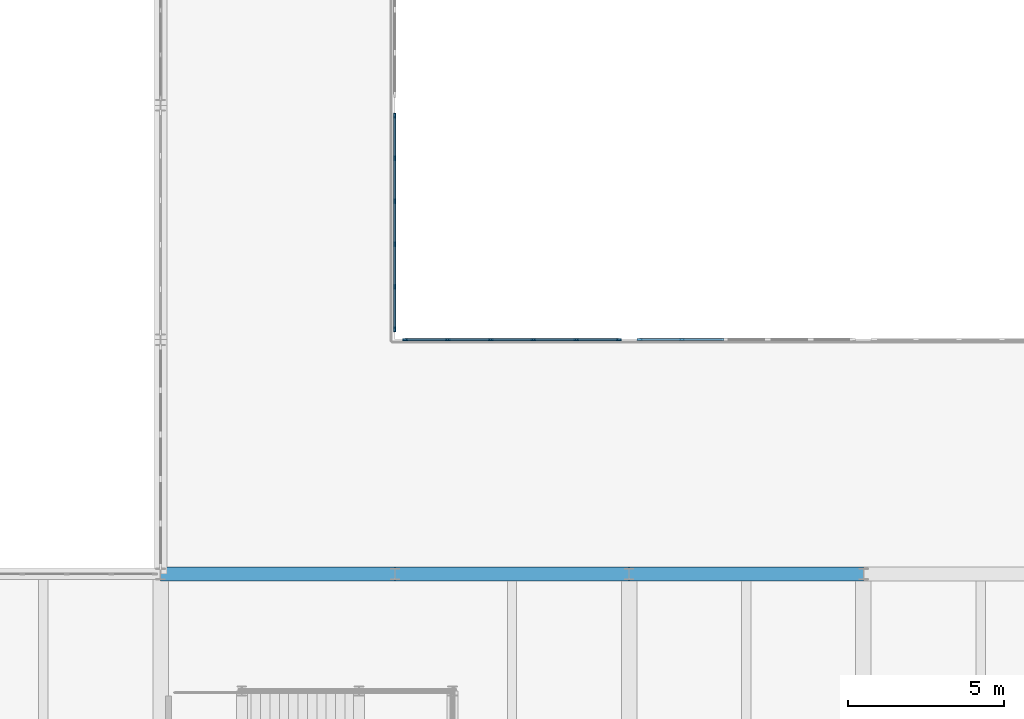
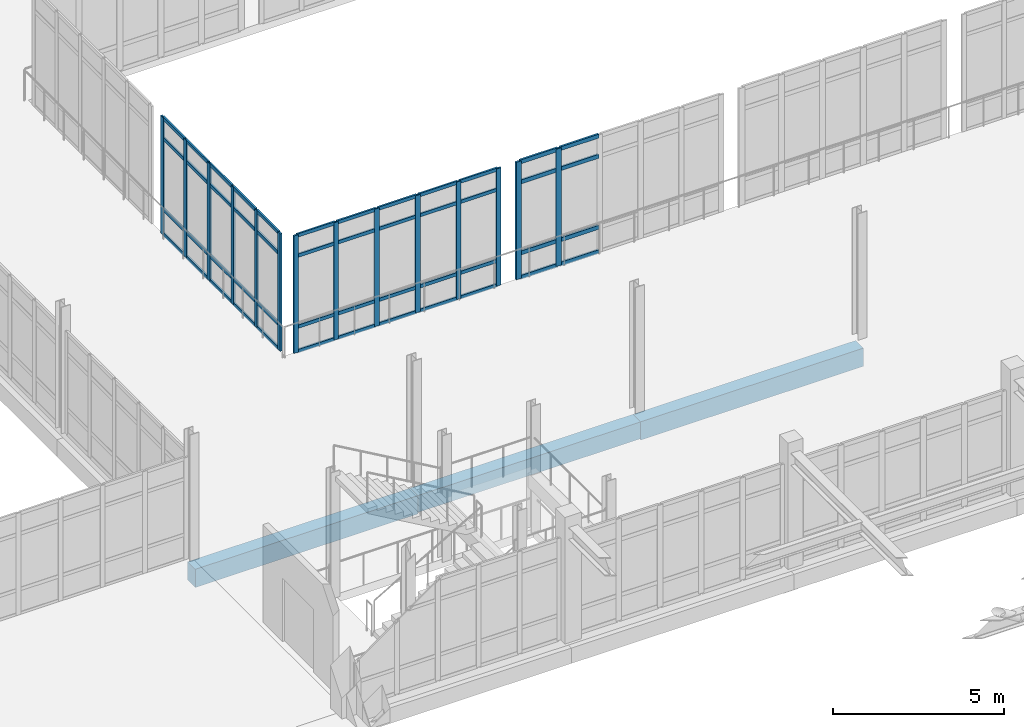
# One storey, part 33 of 128: 62 members, 3 beams, 3 elements without a shape of their own.
"""IFC4 building model written with IfcOpenShell, lengths in metres."""

from ifc_helpers import new_model, si_unit, direction, frame, origin, origin_2d, place, context, subcontext, project, spatial, rectangle, extrude, material, layer, layer_set, material_profile, profile_set, type_object, element, aggregate, save


model = new_model("IFC4")

# Units and contexts
model_context = context("Model", 3, precision=1e-05, world=origin(), true_north=direction((0.0, 1.0)))
body_context = subcontext(model_context, "Body", "Model", "MODEL_VIEW")
ifc_project = project(units=[si_unit("LENGTHUNIT", "METRE"), si_unit("AREAUNIT", "SQUARE_METRE"), si_unit("VOLUMEUNIT", "CUBIC_METRE"), si_unit("PLANEANGLEUNIT", "RADIAN"), si_unit("MASSUNIT", "GRAM", prefix="KILO")], contexts=[model_context])

# Site, building, storey
site_placement = place(None, origin())
site = spatial("IfcSite", under=ifc_project, at=site_placement, CompositionType="ELEMENT")
building_placement = place(site_placement, origin())
building = spatial("IfcBuilding", under=site, at=building_placement, Name="Dalvernix Boulevard General Hospital", CompositionType="ELEMENT")
storey_placement = place(building_placement, frame((0.0, 0.0, 4.800048828125)))
storey = spatial("IfcBuildingStorey", under=building, at=storey_placement, Name="L01", CompositionType="ELEMENT", Elevation=4.800048828125)

# Beams
ifc_material_1 = material(Name="Concrete C35/45", Category="concrete")
ifc_material_profile_1 = material_profile(ifc_material_1, rectangle(XDim=0.449951171875, YDim=0.64990234375, at=origin_2d()), Name="RCB 450x650")
ifc_profile_set_1 = profile_set([ifc_material_profile_1], Name="Concrete C35/45")
beam_type_1 = type_object("IfcBeamType", Name="BM-B-03-I", PredefinedType="BEAM", material=ifc_profile_set_1)
for number, where, z_axis, x_axis, name in (
    (1, (60.0, 31.5, -0.625), (1.0, 0.0, 0.0), (0.0, 1.0, 0.0), "L01 E-W girder E:9-10"),
    (2, (75.0, 31.5, -0.625), (1.0, 0.0, 0.0), (0.0, 1.0, 0.0), "L01 E-W girder E:11-12"),
):
    element("IfcBeam", number, at=place(storey_placement, frame(where, z_axis=z_axis, x_axis=x_axis)), inside=storey, type_object=beam_type_1, Name=name, PredefinedType="BEAM", context=body_context, shape_type="SweptSolid", body=[
        extrude(rectangle(XDim=0.449951171875, YDim=0.64990234375, at=origin_2d()), origin(), (0.0, 0.0, 1.0), 7.5),
    ])
ifc_material_profile_2 = material_profile(ifc_material_1, rectangle(XDim=0.449951171875, YDim=0.60009765625, at=origin_2d()), Name="RCB 450x600")
ifc_profile_set_2 = profile_set([ifc_material_profile_2], Name="Concrete C35/45")
beam_type_2 = type_object("IfcBeamType", Name="BM-B-04-I", PredefinedType="BEAM", material=ifc_profile_set_2)
beam_placement = place(storey_placement, frame((67.5, 31.5, -0.60009765625), z_axis=(1.0, 0.0, 0.0), x_axis=(0.0, 1.0, 0.0)))
element("IfcBeam", 3, at=beam_placement, inside=storey, type_object=beam_type_2, Name="L01 E-W girder E:10-11", PredefinedType="BEAM", context=body_context, shape_type="SweptSolid", body=[
    extrude(rectangle(XDim=0.449951171875, YDim=0.60009765625, at=origin_2d()), origin(), (0.0, 0.0, 1.0), 7.5),
])

# Curtain wall, members
ifc_material_2 = material(Name="Thermally broken aluminium and solar-control glass curtain wall", Category="aluminium")
ifc_layer_1 = layer(ifc_material_2, 0.159912109375)
ifc_layer_set_1 = layer_set([ifc_layer_1], Name="Thermally broken aluminium and solar-control glass curtain wall (CW-CW-A-69x42)")
curtain_wall_type_1 = type_object("IfcCurtainWallType", Name="CW-CW-A-69x42", PredefinedType="USERDEFINED", material=ifc_layer_set_1)
curtain_wall_1_placement = place(storey_placement, origin())
curtain_wall_1 = element("IfcCurtainWall", 4, at=curtain_wall_1_placement, inside=storey, type_object=curtain_wall_type_1, Name="L01 curtain wall CW-A-69x42 9-5", ObjectType="GLAZED FACADE", PredefinedType="USERDEFINED")
ifc_material_3 = material(Name="Aluminium EN AW-6060", Category="aluminium")
ifc_material_profile_3 = material_profile(ifc_material_3, rectangle(XDim=0.06005859375, YDim=0.159912109375, at=origin_2d()), Name="ALU MULL 60x160")
ifc_profile_set_3 = profile_set([ifc_material_profile_3], Name="Aluminium EN AW-6060")
member_type_1 = type_object("IfcMemberType", Name="MEM-CW-M1", PredefinedType="MULLION", material=ifc_profile_set_3)
member_1_placement = place(storey_placement, frame((67.5, 46.159912109375, 0.0), z_axis=(0.0, 0.0, 1.0), x_axis=(1.0, 0.0, 0.0)))
member_1 = element("IfcMember", 5, at=member_1_placement, type_object=member_type_1, Name="CW-A-69x42 mullion 1", PredefinedType="MULLION", context=body_context, shape_type="SweptSolid", body=[
    extrude(rectangle(XDim=0.06005859375, YDim=0.159912109375, at=origin_2d()), origin(), (0.0, 0.0, 1.0), 4.179931640625),
])
member_2_placement = place(storey_placement, frame((67.5, 44.81396484375, 0.0), z_axis=(0.0, 0.0, 1.0), x_axis=(1.0, 0.0, 0.0)))
member_2 = element("IfcMember", 6, at=member_2_placement, type_object=member_type_1, Name="CW-A-69x42 mullion 2", PredefinedType="MULLION", context=body_context, shape_type="SweptSolid", body=[
    extrude(rectangle(XDim=0.06005859375, YDim=0.159912109375, at=origin_2d()), origin(), (0.0, 0.0, 1.0), 4.179931640625),
])
member_3_placement = place(storey_placement, frame((67.5, 43.43798828125, 0.0), z_axis=(0.0, 0.0, 1.0), x_axis=(1.0, 0.0, 0.0)))
member_3 = element("IfcMember", 7, at=member_3_placement, type_object=member_type_1, Name="CW-A-69x42 mullion 3", PredefinedType="MULLION", context=body_context, shape_type="SweptSolid", body=[
    extrude(rectangle(XDim=0.06005859375, YDim=0.159912109375, at=origin_2d()), origin(), (0.0, 0.0, 1.0), 4.179931640625),
])
member_4_placement = place(storey_placement, frame((67.5, 42.06201171875, 0.0), z_axis=(0.0, 0.0, 1.0), x_axis=(1.0, 0.0, 0.0)))
member_4 = element("IfcMember", 8, at=member_4_placement, type_object=member_type_1, Name="CW-A-69x42 mullion 4", PredefinedType="MULLION", context=body_context, shape_type="SweptSolid", body=[
    extrude(rectangle(XDim=0.06005859375, YDim=0.159912109375, at=origin_2d()), origin(), (0.0, 0.0, 1.0), 4.179931640625),
])
member_5_placement = place(storey_placement, frame((67.5, 40.68603515625, 0.0), z_axis=(0.0, 0.0, 1.0), x_axis=(1.0, 0.0, 0.0)))
member_5 = element("IfcMember", 9, at=member_5_placement, type_object=member_type_1, Name="CW-A-69x42 mullion 5", PredefinedType="MULLION", context=body_context, shape_type="SweptSolid", body=[
    extrude(rectangle(XDim=0.06005859375, YDim=0.159912109375, at=origin_2d()), origin(), (0.0, 0.0, 1.0), 4.179931640625),
])
member_6_placement = place(storey_placement, frame((67.5, 39.340087890625, 0.0), z_axis=(0.0, 0.0, 1.0), x_axis=(1.0, 0.0, 0.0)))
member_6 = element("IfcMember", 10, at=member_6_placement, type_object=member_type_1, Name="CW-A-69x42 mullion 6", PredefinedType="MULLION", context=body_context, shape_type="SweptSolid", body=[
    extrude(rectangle(XDim=0.06005859375, YDim=0.159912109375, at=origin_2d()), origin(), (0.0, 0.0, 1.0), 4.179931640625),
])

curtain_wall_2_placement = place(storey_placement, origin())
curtain_wall_2 = element("IfcCurtainWall", 11, at=curtain_wall_2_placement, inside=storey, type_object=curtain_wall_type_1, Name="L01 curtain wall CW-A-69x42 9-5", ObjectType="GLAZED FACADE", PredefinedType="USERDEFINED")
member_7_placement = place(storey_placement, frame((67.840087890625, 39.0, 0.0), z_axis=(0.0, 0.0, 1.0), x_axis=(0.0, 1.0, 0.0)))
member_7 = element("IfcMember", 12, at=member_7_placement, type_object=member_type_1, Name="CW-A-69x42 mullion 1", PredefinedType="MULLION", context=body_context, shape_type="SweptSolid", body=[
    extrude(rectangle(XDim=0.06005859375, YDim=0.159912109375, at=origin_2d()), origin(), (0.0, 0.0, 1.0), 4.179931640625),
])
member_8_placement = place(storey_placement, frame((69.18603515625, 39.0, 0.0), z_axis=(0.0, 0.0, 1.0), x_axis=(0.0, 1.0, 0.0)))
member_8 = element("IfcMember", 13, at=member_8_placement, type_object=member_type_1, Name="CW-A-69x42 mullion 2", PredefinedType="MULLION", context=body_context, shape_type="SweptSolid", body=[
    extrude(rectangle(XDim=0.06005859375, YDim=0.159912109375, at=origin_2d()), origin(), (0.0, 0.0, 1.0), 4.179931640625),
])
member_9_placement = place(storey_placement, frame((70.56201171875, 39.0, 0.0), z_axis=(0.0, 0.0, 1.0), x_axis=(0.0, 1.0, 0.0)))
member_9 = element("IfcMember", 14, at=member_9_placement, type_object=member_type_1, Name="CW-A-69x42 mullion 3", PredefinedType="MULLION", context=body_context, shape_type="SweptSolid", body=[
    extrude(rectangle(XDim=0.06005859375, YDim=0.159912109375, at=origin_2d()), origin(), (0.0, 0.0, 1.0), 4.179931640625),
])
member_10_placement = place(storey_placement, frame((71.93798828125, 39.0, 0.0), z_axis=(0.0, 0.0, 1.0), x_axis=(0.0, 1.0, 0.0)))
member_10 = element("IfcMember", 15, at=member_10_placement, type_object=member_type_1, Name="CW-A-69x42 mullion 4", PredefinedType="MULLION", context=body_context, shape_type="SweptSolid", body=[
    extrude(rectangle(XDim=0.06005859375, YDim=0.159912109375, at=origin_2d()), origin(), (0.0, 0.0, 1.0), 4.179931640625),
])
member_11_placement = place(storey_placement, frame((73.31396484375, 39.0, 0.0), z_axis=(0.0, 0.0, 1.0), x_axis=(0.0, 1.0, 0.0)))
member_11 = element("IfcMember", 16, at=member_11_placement, type_object=member_type_1, Name="CW-A-69x42 mullion 5", PredefinedType="MULLION", context=body_context, shape_type="SweptSolid", body=[
    extrude(rectangle(XDim=0.06005859375, YDim=0.159912109375, at=origin_2d()), origin(), (0.0, 0.0, 1.0), 4.179931640625),
])
member_12_placement = place(storey_placement, frame((74.659912109375, 39.0, 0.0), z_axis=(0.0, 0.0, 1.0), x_axis=(0.0, 1.0, 0.0)))
member_12 = element("IfcMember", 17, at=member_12_placement, type_object=member_type_1, Name="CW-A-69x42 mullion 6", PredefinedType="MULLION", context=body_context, shape_type="SweptSolid", body=[
    extrude(rectangle(XDim=0.06005859375, YDim=0.159912109375, at=origin_2d()), origin(), (0.0, 0.0, 1.0), 4.179931640625),
])

ifc_layer_2 = layer(ifc_material_2, 0.179931640625)
ifc_layer_set_2 = layer_set([ifc_layer_2], Name="Thermally broken aluminium and solar-control glass curtain wall (CW-CW-B-69x42)")
curtain_wall_type_2 = type_object("IfcCurtainWallType", Name="CW-CW-B-69x42", PredefinedType="USERDEFINED", material=ifc_layer_set_2)
curtain_wall_3_placement = place(storey_placement, origin())
curtain_wall_3 = element("IfcCurtainWall", 18, at=curtain_wall_3_placement, inside=storey, type_object=curtain_wall_type_2, Name="L01 curtain wall CW-B-69x42 10-5", ObjectType="GLAZED FACADE", PredefinedType="USERDEFINED")
ifc_material_profile_4 = material_profile(ifc_material_3, rectangle(XDim=0.06494140625, YDim=0.179931640625, at=origin_2d()), Name="ALU MULL 65x180")
ifc_profile_set_4 = profile_set([ifc_material_profile_4], Name="Aluminium EN AW-6060")
member_type_2 = type_object("IfcMemberType", Name="MEM-CW-M2", PredefinedType="MULLION", material=ifc_profile_set_4)
member_13_placement = place(storey_placement, frame((75.342529296875, 39.0, 0.0), z_axis=(0.0, 0.0, 1.0), x_axis=(0.0, 1.0, 0.0)))
member_13 = element("IfcMember", 19, at=member_13_placement, type_object=member_type_2, Name="CW-B-69x42 mullion 1", PredefinedType="MULLION", context=body_context, shape_type="SweptSolid", body=[
    extrude(rectangle(XDim=0.06494140625, YDim=0.179931640625, at=origin_2d()), origin(), (0.0, 0.0, 1.0), 4.179931640625),
])
member_14_placement = place(storey_placement, frame((76.68603515625, 39.0, 0.0), z_axis=(0.0, 0.0, 1.0), x_axis=(0.0, 1.0, 0.0)))
member_14 = element("IfcMember", 20, at=member_14_placement, type_object=member_type_2, Name="CW-B-69x42 mullion 2", PredefinedType="MULLION", context=body_context, shape_type="SweptSolid", body=[
    extrude(rectangle(XDim=0.06494140625, YDim=0.179931640625, at=origin_2d()), origin(), (0.0, 0.0, 1.0), 4.179931640625),
])

# Member
ifc_material_profile_5 = material_profile(ifc_material_3, rectangle(XDim=0.06005859375, YDim=0.1201171875, at=origin_2d()), Name="ALU TRAN 60x120")
ifc_profile_set_5 = profile_set([ifc_material_profile_5], Name="Aluminium EN AW-6060")
member_type_3 = type_object("IfcMemberType", Name="MEM-CW-T1", PredefinedType="USERDEFINED", material=ifc_profile_set_5)
member_15_placement = place(storey_placement, frame((67.5, 46.1298828125, 0.030029296875), z_axis=(0.0, -1.0, 0.0), x_axis=(1.0, 0.0, 0.0)))
member_15 = element("IfcMember", 21, at=member_15_placement, type_object=member_type_3, Name="CW-A-69x42 transom 1.1", ObjectType="TRANSOM", PredefinedType="USERDEFINED", context=body_context, shape_type="SweptSolid", body=[
    extrude(rectangle(XDim=0.06005859375, YDim=0.1201171875, at=origin_2d()), origin(), (0.0, 0.0, 1.0), 1.285888671875),
])

member_16_placement = place(storey_placement, frame((67.5, 46.1298828125, 0.89990234375), z_axis=(0.0, -1.0, 0.0), x_axis=(1.0, 0.0, 0.0)))
member_16 = element("IfcMember", 22, at=member_16_placement, type_object=member_type_3, Name="CW-A-69x42 transom 1.2", ObjectType="TRANSOM", PredefinedType="USERDEFINED", context=body_context, shape_type="SweptSolid", body=[
    extrude(rectangle(XDim=0.06005859375, YDim=0.1201171875, at=origin_2d()), origin(), (0.0, 0.0, 1.0), 1.285888671875),
])

member_17_placement = place(storey_placement, frame((67.5, 46.1298828125, 3.429931640625), z_axis=(0.0, -1.0, 0.0), x_axis=(1.0, 0.0, 0.0)))
member_17 = element("IfcMember", 23, at=member_17_placement, type_object=member_type_3, Name="CW-A-69x42 transom 1.3", ObjectType="TRANSOM", PredefinedType="USERDEFINED", context=body_context, shape_type="SweptSolid", body=[
    extrude(rectangle(XDim=0.06005859375, YDim=0.1201171875, at=origin_2d()), origin(), (0.0, 0.0, 1.0), 1.285888671875),
])

member_18_placement = place(storey_placement, frame((67.5, 46.1298828125, 4.14990234375), z_axis=(0.0, -1.0, 0.0), x_axis=(1.0, 0.0, 0.0)))
member_18 = element("IfcMember", 24, at=member_18_placement, type_object=member_type_3, Name="CW-A-69x42 transom 1.4", ObjectType="TRANSOM", PredefinedType="USERDEFINED", context=body_context, shape_type="SweptSolid", body=[
    extrude(rectangle(XDim=0.06005859375, YDim=0.1201171875, at=origin_2d()), origin(), (0.0, 0.0, 1.0), 1.285888671875),
])

member_19_placement = place(storey_placement, frame((67.5, 44.783935546875, 0.030029296875), z_axis=(0.0, -1.0, 0.0), x_axis=(1.0, 0.0, 0.0)))
member_19 = element("IfcMember", 25, at=member_19_placement, type_object=member_type_3, Name="CW-A-69x42 transom 2.1", ObjectType="TRANSOM", PredefinedType="USERDEFINED", context=body_context, shape_type="SweptSolid", body=[
    extrude(rectangle(XDim=0.06005859375, YDim=0.1201171875, at=origin_2d()), origin(), (0.0, 0.0, 1.0), 1.31591796875),
])

member_20_placement = place(storey_placement, frame((67.5, 44.783935546875, 0.89990234375), z_axis=(0.0, -1.0, 0.0), x_axis=(1.0, 0.0, 0.0)))
member_20 = element("IfcMember", 26, at=member_20_placement, type_object=member_type_3, Name="CW-A-69x42 transom 2.2", ObjectType="TRANSOM", PredefinedType="USERDEFINED", context=body_context, shape_type="SweptSolid", body=[
    extrude(rectangle(XDim=0.06005859375, YDim=0.1201171875, at=origin_2d()), origin(), (0.0, 0.0, 1.0), 1.31591796875),
])

member_21_placement = place(storey_placement, frame((67.5, 44.783935546875, 3.429931640625), z_axis=(0.0, -1.0, 0.0), x_axis=(1.0, 0.0, 0.0)))
member_21 = element("IfcMember", 27, at=member_21_placement, type_object=member_type_3, Name="CW-A-69x42 transom 2.3", ObjectType="TRANSOM", PredefinedType="USERDEFINED", context=body_context, shape_type="SweptSolid", body=[
    extrude(rectangle(XDim=0.06005859375, YDim=0.1201171875, at=origin_2d()), origin(), (0.0, 0.0, 1.0), 1.31591796875),
])

member_22_placement = place(storey_placement, frame((67.5, 44.783935546875, 4.14990234375), z_axis=(0.0, -1.0, 0.0), x_axis=(1.0, 0.0, 0.0)))
member_22 = element("IfcMember", 28, at=member_22_placement, type_object=member_type_3, Name="CW-A-69x42 transom 2.4", ObjectType="TRANSOM", PredefinedType="USERDEFINED", context=body_context, shape_type="SweptSolid", body=[
    extrude(rectangle(XDim=0.06005859375, YDim=0.1201171875, at=origin_2d()), origin(), (0.0, 0.0, 1.0), 1.31591796875),
])

member_23_placement = place(storey_placement, frame((67.5, 43.407958984375, 0.030029296875), z_axis=(0.0, -1.0, 0.0), x_axis=(1.0, 0.0, 0.0)))
member_23 = element("IfcMember", 29, at=member_23_placement, type_object=member_type_3, Name="CW-A-69x42 transom 3.1", ObjectType="TRANSOM", PredefinedType="USERDEFINED", context=body_context, shape_type="SweptSolid", body=[
    extrude(rectangle(XDim=0.06005859375, YDim=0.1201171875, at=origin_2d()), origin(), (0.0, 0.0, 1.0), 1.31591796875),
])

member_24_placement = place(storey_placement, frame((67.5, 43.407958984375, 0.89990234375), z_axis=(0.0, -1.0, 0.0), x_axis=(1.0, 0.0, 0.0)))
member_24 = element("IfcMember", 30, at=member_24_placement, type_object=member_type_3, Name="CW-A-69x42 transom 3.2", ObjectType="TRANSOM", PredefinedType="USERDEFINED", context=body_context, shape_type="SweptSolid", body=[
    extrude(rectangle(XDim=0.06005859375, YDim=0.1201171875, at=origin_2d()), origin(), (0.0, 0.0, 1.0), 1.31591796875),
])

member_25_placement = place(storey_placement, frame((67.5, 43.407958984375, 3.429931640625), z_axis=(0.0, -1.0, 0.0), x_axis=(1.0, 0.0, 0.0)))
member_25 = element("IfcMember", 31, at=member_25_placement, type_object=member_type_3, Name="CW-A-69x42 transom 3.3", ObjectType="TRANSOM", PredefinedType="USERDEFINED", context=body_context, shape_type="SweptSolid", body=[
    extrude(rectangle(XDim=0.06005859375, YDim=0.1201171875, at=origin_2d()), origin(), (0.0, 0.0, 1.0), 1.31591796875),
])

member_26_placement = place(storey_placement, frame((67.5, 43.407958984375, 4.14990234375), z_axis=(0.0, -1.0, 0.0), x_axis=(1.0, 0.0, 0.0)))
member_26 = element("IfcMember", 32, at=member_26_placement, type_object=member_type_3, Name="CW-A-69x42 transom 3.4", ObjectType="TRANSOM", PredefinedType="USERDEFINED", context=body_context, shape_type="SweptSolid", body=[
    extrude(rectangle(XDim=0.06005859375, YDim=0.1201171875, at=origin_2d()), origin(), (0.0, 0.0, 1.0), 1.31591796875),
])

member_27_placement = place(storey_placement, frame((67.5, 42.031982421875, 0.030029296875), z_axis=(0.0, -1.0, 0.0), x_axis=(1.0, 0.0, 0.0)))
member_27 = element("IfcMember", 33, at=member_27_placement, type_object=member_type_3, Name="CW-A-69x42 transom 4.1", ObjectType="TRANSOM", PredefinedType="USERDEFINED", context=body_context, shape_type="SweptSolid", body=[
    extrude(rectangle(XDim=0.06005859375, YDim=0.1201171875, at=origin_2d()), origin(), (0.0, 0.0, 1.0), 1.31591796875),
])

member_28_placement = place(storey_placement, frame((67.5, 42.031982421875, 0.89990234375), z_axis=(0.0, -1.0, 0.0), x_axis=(1.0, 0.0, 0.0)))
member_28 = element("IfcMember", 34, at=member_28_placement, type_object=member_type_3, Name="CW-A-69x42 transom 4.2", ObjectType="TRANSOM", PredefinedType="USERDEFINED", context=body_context, shape_type="SweptSolid", body=[
    extrude(rectangle(XDim=0.06005859375, YDim=0.1201171875, at=origin_2d()), origin(), (0.0, 0.0, 1.0), 1.31591796875),
])

member_29_placement = place(storey_placement, frame((67.5, 42.031982421875, 3.429931640625), z_axis=(0.0, -1.0, 0.0), x_axis=(1.0, 0.0, 0.0)))
member_29 = element("IfcMember", 35, at=member_29_placement, type_object=member_type_3, Name="CW-A-69x42 transom 4.3", ObjectType="TRANSOM", PredefinedType="USERDEFINED", context=body_context, shape_type="SweptSolid", body=[
    extrude(rectangle(XDim=0.06005859375, YDim=0.1201171875, at=origin_2d()), origin(), (0.0, 0.0, 1.0), 1.31591796875),
])

member_30_placement = place(storey_placement, frame((67.5, 42.031982421875, 4.14990234375), z_axis=(0.0, -1.0, 0.0), x_axis=(1.0, 0.0, 0.0)))
member_30 = element("IfcMember", 36, at=member_30_placement, type_object=member_type_3, Name="CW-A-69x42 transom 4.4", ObjectType="TRANSOM", PredefinedType="USERDEFINED", context=body_context, shape_type="SweptSolid", body=[
    extrude(rectangle(XDim=0.06005859375, YDim=0.1201171875, at=origin_2d()), origin(), (0.0, 0.0, 1.0), 1.31591796875),
])

member_31_placement = place(storey_placement, frame((67.5, 40.656005859375, 0.030029296875), z_axis=(0.0, -1.0, 0.0), x_axis=(1.0, 0.0, 0.0)))
member_31 = element("IfcMember", 37, at=member_31_placement, type_object=member_type_3, Name="CW-A-69x42 transom 5.1", ObjectType="TRANSOM", PredefinedType="USERDEFINED", context=body_context, shape_type="SweptSolid", body=[
    extrude(rectangle(XDim=0.06005859375, YDim=0.1201171875, at=origin_2d()), origin(), (0.0, 0.0, 1.0), 1.285888671875),
])

member_32_placement = place(storey_placement, frame((67.5, 40.656005859375, 0.89990234375), z_axis=(0.0, -1.0, 0.0), x_axis=(1.0, 0.0, 0.0)))
member_32 = element("IfcMember", 38, at=member_32_placement, type_object=member_type_3, Name="CW-A-69x42 transom 5.2", ObjectType="TRANSOM", PredefinedType="USERDEFINED", context=body_context, shape_type="SweptSolid", body=[
    extrude(rectangle(XDim=0.06005859375, YDim=0.1201171875, at=origin_2d()), origin(), (0.0, 0.0, 1.0), 1.285888671875),
])

member_33_placement = place(storey_placement, frame((67.5, 40.656005859375, 3.429931640625), z_axis=(0.0, -1.0, 0.0), x_axis=(1.0, 0.0, 0.0)))
member_33 = element("IfcMember", 39, at=member_33_placement, type_object=member_type_3, Name="CW-A-69x42 transom 5.3", ObjectType="TRANSOM", PredefinedType="USERDEFINED", context=body_context, shape_type="SweptSolid", body=[
    extrude(rectangle(XDim=0.06005859375, YDim=0.1201171875, at=origin_2d()), origin(), (0.0, 0.0, 1.0), 1.285888671875),
])

member_34_placement = place(storey_placement, frame((67.5, 40.656005859375, 4.14990234375), z_axis=(0.0, -1.0, 0.0), x_axis=(1.0, 0.0, 0.0)))
member_34 = element("IfcMember", 40, at=member_34_placement, type_object=member_type_3, Name="CW-A-69x42 transom 5.4", ObjectType="TRANSOM", PredefinedType="USERDEFINED", context=body_context, shape_type="SweptSolid", body=[
    extrude(rectangle(XDim=0.06005859375, YDim=0.1201171875, at=origin_2d()), origin(), (0.0, 0.0, 1.0), 1.285888671875),
])

aggregate(curtain_wall_1, [member_1, member_2, member_3, member_4, member_5, member_6, member_15, member_16, member_17, member_18, member_19, member_20, member_21, member_22, member_23, member_24, member_25, member_26, member_27, member_28, member_29, member_30, member_31, member_32, member_33, member_34])

member_35_placement = place(storey_placement, frame((67.8701171875, 39.0, 0.030029296875), z_axis=(1.0, 0.0, 0.0), x_axis=(0.0, 1.0, 0.0)))
member_35 = element("IfcMember", 41, at=member_35_placement, type_object=member_type_3, Name="CW-A-69x42 transom 1.1", ObjectType="TRANSOM", PredefinedType="USERDEFINED", context=body_context, shape_type="SweptSolid", body=[
    extrude(rectangle(XDim=0.06005859375, YDim=0.1201171875, at=origin_2d()), origin(), (0.0, 0.0, 1.0), 1.285888671875),
])

member_36_placement = place(storey_placement, frame((67.8701171875, 39.0, 0.89990234375), z_axis=(1.0, 0.0, 0.0), x_axis=(0.0, 1.0, 0.0)))
member_36 = element("IfcMember", 42, at=member_36_placement, type_object=member_type_3, Name="CW-A-69x42 transom 1.2", ObjectType="TRANSOM", PredefinedType="USERDEFINED", context=body_context, shape_type="SweptSolid", body=[
    extrude(rectangle(XDim=0.06005859375, YDim=0.1201171875, at=origin_2d()), origin(), (0.0, 0.0, 1.0), 1.285888671875),
])

member_37_placement = place(storey_placement, frame((67.8701171875, 39.0, 3.429931640625), z_axis=(1.0, 0.0, 0.0), x_axis=(0.0, 1.0, 0.0)))
member_37 = element("IfcMember", 43, at=member_37_placement, type_object=member_type_3, Name="CW-A-69x42 transom 1.3", ObjectType="TRANSOM", PredefinedType="USERDEFINED", context=body_context, shape_type="SweptSolid", body=[
    extrude(rectangle(XDim=0.06005859375, YDim=0.1201171875, at=origin_2d()), origin(), (0.0, 0.0, 1.0), 1.285888671875),
])

member_38_placement = place(storey_placement, frame((67.8701171875, 39.0, 4.14990234375), z_axis=(1.0, 0.0, 0.0), x_axis=(0.0, 1.0, 0.0)))
member_38 = element("IfcMember", 44, at=member_38_placement, type_object=member_type_3, Name="CW-A-69x42 transom 1.4", ObjectType="TRANSOM", PredefinedType="USERDEFINED", context=body_context, shape_type="SweptSolid", body=[
    extrude(rectangle(XDim=0.06005859375, YDim=0.1201171875, at=origin_2d()), origin(), (0.0, 0.0, 1.0), 1.285888671875),
])

member_39_placement = place(storey_placement, frame((69.216064453125, 39.0, 0.030029296875), z_axis=(1.0, 0.0, 0.0), x_axis=(0.0, 1.0, 0.0)))
member_39 = element("IfcMember", 45, at=member_39_placement, type_object=member_type_3, Name="CW-A-69x42 transom 2.1", ObjectType="TRANSOM", PredefinedType="USERDEFINED", context=body_context, shape_type="SweptSolid", body=[
    extrude(rectangle(XDim=0.06005859375, YDim=0.1201171875, at=origin_2d()), origin(), (0.0, 0.0, 1.0), 1.31591796875),
])

member_40_placement = place(storey_placement, frame((69.216064453125, 39.0, 0.89990234375), z_axis=(1.0, 0.0, 0.0), x_axis=(0.0, 1.0, 0.0)))
member_40 = element("IfcMember", 46, at=member_40_placement, type_object=member_type_3, Name="CW-A-69x42 transom 2.2", ObjectType="TRANSOM", PredefinedType="USERDEFINED", context=body_context, shape_type="SweptSolid", body=[
    extrude(rectangle(XDim=0.06005859375, YDim=0.1201171875, at=origin_2d()), origin(), (0.0, 0.0, 1.0), 1.31591796875),
])

member_41_placement = place(storey_placement, frame((69.216064453125, 39.0, 3.429931640625), z_axis=(1.0, 0.0, 0.0), x_axis=(0.0, 1.0, 0.0)))
member_41 = element("IfcMember", 47, at=member_41_placement, type_object=member_type_3, Name="CW-A-69x42 transom 2.3", ObjectType="TRANSOM", PredefinedType="USERDEFINED", context=body_context, shape_type="SweptSolid", body=[
    extrude(rectangle(XDim=0.06005859375, YDim=0.1201171875, at=origin_2d()), origin(), (0.0, 0.0, 1.0), 1.31591796875),
])

member_42_placement = place(storey_placement, frame((69.216064453125, 39.0, 4.14990234375), z_axis=(1.0, 0.0, 0.0), x_axis=(0.0, 1.0, 0.0)))
member_42 = element("IfcMember", 48, at=member_42_placement, type_object=member_type_3, Name="CW-A-69x42 transom 2.4", ObjectType="TRANSOM", PredefinedType="USERDEFINED", context=body_context, shape_type="SweptSolid", body=[
    extrude(rectangle(XDim=0.06005859375, YDim=0.1201171875, at=origin_2d()), origin(), (0.0, 0.0, 1.0), 1.31591796875),
])

member_43_placement = place(storey_placement, frame((70.592041015625, 39.0, 0.030029296875), z_axis=(1.0, 0.0, 0.0), x_axis=(0.0, 1.0, 0.0)))
member_43 = element("IfcMember", 49, at=member_43_placement, type_object=member_type_3, Name="CW-A-69x42 transom 3.1", ObjectType="TRANSOM", PredefinedType="USERDEFINED", context=body_context, shape_type="SweptSolid", body=[
    extrude(rectangle(XDim=0.06005859375, YDim=0.1201171875, at=origin_2d()), origin(), (0.0, 0.0, 1.0), 1.31591796875),
])

member_44_placement = place(storey_placement, frame((70.592041015625, 39.0, 0.89990234375), z_axis=(1.0, 0.0, 0.0), x_axis=(0.0, 1.0, 0.0)))
member_44 = element("IfcMember", 50, at=member_44_placement, type_object=member_type_3, Name="CW-A-69x42 transom 3.2", ObjectType="TRANSOM", PredefinedType="USERDEFINED", context=body_context, shape_type="SweptSolid", body=[
    extrude(rectangle(XDim=0.06005859375, YDim=0.1201171875, at=origin_2d()), origin(), (0.0, 0.0, 1.0), 1.31591796875),
])

member_45_placement = place(storey_placement, frame((70.592041015625, 39.0, 3.429931640625), z_axis=(1.0, 0.0, 0.0), x_axis=(0.0, 1.0, 0.0)))
member_45 = element("IfcMember", 51, at=member_45_placement, type_object=member_type_3, Name="CW-A-69x42 transom 3.3", ObjectType="TRANSOM", PredefinedType="USERDEFINED", context=body_context, shape_type="SweptSolid", body=[
    extrude(rectangle(XDim=0.06005859375, YDim=0.1201171875, at=origin_2d()), origin(), (0.0, 0.0, 1.0), 1.31591796875),
])

member_46_placement = place(storey_placement, frame((70.592041015625, 39.0, 4.14990234375), z_axis=(1.0, 0.0, 0.0), x_axis=(0.0, 1.0, 0.0)))
member_46 = element("IfcMember", 52, at=member_46_placement, type_object=member_type_3, Name="CW-A-69x42 transom 3.4", ObjectType="TRANSOM", PredefinedType="USERDEFINED", context=body_context, shape_type="SweptSolid", body=[
    extrude(rectangle(XDim=0.06005859375, YDim=0.1201171875, at=origin_2d()), origin(), (0.0, 0.0, 1.0), 1.31591796875),
])

member_47_placement = place(storey_placement, frame((71.968017578125, 39.0, 0.030029296875), z_axis=(1.0, 0.0, 0.0), x_axis=(0.0, 1.0, 0.0)))
member_47 = element("IfcMember", 53, at=member_47_placement, type_object=member_type_3, Name="CW-A-69x42 transom 4.1", ObjectType="TRANSOM", PredefinedType="USERDEFINED", context=body_context, shape_type="SweptSolid", body=[
    extrude(rectangle(XDim=0.06005859375, YDim=0.1201171875, at=origin_2d()), origin(), (0.0, 0.0, 1.0), 1.31591796875),
])

member_48_placement = place(storey_placement, frame((71.968017578125, 39.0, 0.89990234375), z_axis=(1.0, 0.0, 0.0), x_axis=(0.0, 1.0, 0.0)))
member_48 = element("IfcMember", 54, at=member_48_placement, type_object=member_type_3, Name="CW-A-69x42 transom 4.2", ObjectType="TRANSOM", PredefinedType="USERDEFINED", context=body_context, shape_type="SweptSolid", body=[
    extrude(rectangle(XDim=0.06005859375, YDim=0.1201171875, at=origin_2d()), origin(), (0.0, 0.0, 1.0), 1.31591796875),
])

member_49_placement = place(storey_placement, frame((71.968017578125, 39.0, 3.429931640625), z_axis=(1.0, 0.0, 0.0), x_axis=(0.0, 1.0, 0.0)))
member_49 = element("IfcMember", 55, at=member_49_placement, type_object=member_type_3, Name="CW-A-69x42 transom 4.3", ObjectType="TRANSOM", PredefinedType="USERDEFINED", context=body_context, shape_type="SweptSolid", body=[
    extrude(rectangle(XDim=0.06005859375, YDim=0.1201171875, at=origin_2d()), origin(), (0.0, 0.0, 1.0), 1.31591796875),
])

member_50_placement = place(storey_placement, frame((71.968017578125, 39.0, 4.14990234375), z_axis=(1.0, 0.0, 0.0), x_axis=(0.0, 1.0, 0.0)))
member_50 = element("IfcMember", 56, at=member_50_placement, type_object=member_type_3, Name="CW-A-69x42 transom 4.4", ObjectType="TRANSOM", PredefinedType="USERDEFINED", context=body_context, shape_type="SweptSolid", body=[
    extrude(rectangle(XDim=0.06005859375, YDim=0.1201171875, at=origin_2d()), origin(), (0.0, 0.0, 1.0), 1.31591796875),
])

member_51_placement = place(storey_placement, frame((73.343994140625, 39.0, 0.030029296875), z_axis=(1.0, 0.0, 0.0), x_axis=(0.0, 1.0, 0.0)))
member_51 = element("IfcMember", 57, at=member_51_placement, type_object=member_type_3, Name="CW-A-69x42 transom 5.1", ObjectType="TRANSOM", PredefinedType="USERDEFINED", context=body_context, shape_type="SweptSolid", body=[
    extrude(rectangle(XDim=0.06005859375, YDim=0.1201171875, at=origin_2d()), origin(), (0.0, 0.0, 1.0), 1.285888671875),
])

member_52_placement = place(storey_placement, frame((73.343994140625, 39.0, 0.89990234375), z_axis=(1.0, 0.0, 0.0), x_axis=(0.0, 1.0, 0.0)))
member_52 = element("IfcMember", 58, at=member_52_placement, type_object=member_type_3, Name="CW-A-69x42 transom 5.2", ObjectType="TRANSOM", PredefinedType="USERDEFINED", context=body_context, shape_type="SweptSolid", body=[
    extrude(rectangle(XDim=0.06005859375, YDim=0.1201171875, at=origin_2d()), origin(), (0.0, 0.0, 1.0), 1.285888671875),
])

member_53_placement = place(storey_placement, frame((73.343994140625, 39.0, 3.429931640625), z_axis=(1.0, 0.0, 0.0), x_axis=(0.0, 1.0, 0.0)))
member_53 = element("IfcMember", 59, at=member_53_placement, type_object=member_type_3, Name="CW-A-69x42 transom 5.3", ObjectType="TRANSOM", PredefinedType="USERDEFINED", context=body_context, shape_type="SweptSolid", body=[
    extrude(rectangle(XDim=0.06005859375, YDim=0.1201171875, at=origin_2d()), origin(), (0.0, 0.0, 1.0), 1.285888671875),
])

member_54_placement = place(storey_placement, frame((73.343994140625, 39.0, 4.14990234375), z_axis=(1.0, 0.0, 0.0), x_axis=(0.0, 1.0, 0.0)))
member_54 = element("IfcMember", 60, at=member_54_placement, type_object=member_type_3, Name="CW-A-69x42 transom 5.4", ObjectType="TRANSOM", PredefinedType="USERDEFINED", context=body_context, shape_type="SweptSolid", body=[
    extrude(rectangle(XDim=0.06005859375, YDim=0.1201171875, at=origin_2d()), origin(), (0.0, 0.0, 1.0), 1.285888671875),
])

aggregate(curtain_wall_2, [member_7, member_8, member_9, member_10, member_11, member_12, member_35, member_36, member_37, member_38, member_39, member_40, member_41, member_42, member_43, member_44, member_45, member_46, member_47, member_48, member_49, member_50, member_51, member_52, member_53, member_54])

ifc_material_profile_6 = material_profile(ifc_material_3, rectangle(XDim=0.06494140625, YDim=0.139892578125, at=origin_2d()), Name="ALU TRAN 65x140")
ifc_profile_set_6 = profile_set([ifc_material_profile_6], Name="Aluminium EN AW-6060")
member_type_4 = type_object("IfcMemberType", Name="MEM-CW-T2", PredefinedType="USERDEFINED", material=ifc_profile_set_6)
member_55_placement = place(storey_placement, frame((75.375, 39.0, 0.032470703125), z_axis=(1.0, 0.0, 0.0), x_axis=(0.0, 1.0, 0.0)))
member_55 = element("IfcMember", 61, at=member_55_placement, type_object=member_type_4, Name="CW-B-69x42 transom 1.1", ObjectType="TRANSOM", PredefinedType="USERDEFINED", context=body_context, shape_type="SweptSolid", body=[
    extrude(rectangle(XDim=0.06494140625, YDim=0.139892578125, at=origin_2d()), origin(), (0.0, 0.0, 1.0), 1.278564453125),
])

member_56_placement = place(storey_placement, frame((75.375, 39.0, 0.89990234375), z_axis=(1.0, 0.0, 0.0), x_axis=(0.0, 1.0, 0.0)))
member_56 = element("IfcMember", 62, at=member_56_placement, type_object=member_type_4, Name="CW-B-69x42 transom 1.2", ObjectType="TRANSOM", PredefinedType="USERDEFINED", context=body_context, shape_type="SweptSolid", body=[
    extrude(rectangle(XDim=0.06494140625, YDim=0.139892578125, at=origin_2d()), origin(), (0.0, 0.0, 1.0), 1.278564453125),
])

member_57_placement = place(storey_placement, frame((75.375, 39.0, 3.429931640625), z_axis=(1.0, 0.0, 0.0), x_axis=(0.0, 1.0, 0.0)))
member_57 = element("IfcMember", 63, at=member_57_placement, type_object=member_type_4, Name="CW-B-69x42 transom 1.3", ObjectType="TRANSOM", PredefinedType="USERDEFINED", context=body_context, shape_type="SweptSolid", body=[
    extrude(rectangle(XDim=0.06494140625, YDim=0.139892578125, at=origin_2d()), origin(), (0.0, 0.0, 1.0), 1.278564453125),
])

member_58_placement = place(storey_placement, frame((75.375, 39.0, 4.1474609375), z_axis=(1.0, 0.0, 0.0), x_axis=(0.0, 1.0, 0.0)))
member_58 = element("IfcMember", 64, at=member_58_placement, type_object=member_type_4, Name="CW-B-69x42 transom 1.4", ObjectType="TRANSOM", PredefinedType="USERDEFINED", context=body_context, shape_type="SweptSolid", body=[
    extrude(rectangle(XDim=0.06494140625, YDim=0.139892578125, at=origin_2d()), origin(), (0.0, 0.0, 1.0), 1.278564453125),
])

member_59_placement = place(storey_placement, frame((76.718505859375, 39.0, 0.032470703125), z_axis=(1.0, 0.0, 0.0), x_axis=(0.0, 1.0, 0.0)))
member_59 = element("IfcMember", 65, at=member_59_placement, type_object=member_type_4, Name="CW-B-69x42 transom 2.1", ObjectType="TRANSOM", PredefinedType="USERDEFINED", context=body_context, shape_type="SweptSolid", body=[
    extrude(rectangle(XDim=0.06494140625, YDim=0.139892578125, at=origin_2d()), origin(), (0.0, 0.0, 1.0), 1.31103515625),
])

member_60_placement = place(storey_placement, frame((76.718505859375, 39.0, 0.89990234375), z_axis=(1.0, 0.0, 0.0), x_axis=(0.0, 1.0, 0.0)))
member_60 = element("IfcMember", 66, at=member_60_placement, type_object=member_type_4, Name="CW-B-69x42 transom 2.2", ObjectType="TRANSOM", PredefinedType="USERDEFINED", context=body_context, shape_type="SweptSolid", body=[
    extrude(rectangle(XDim=0.06494140625, YDim=0.139892578125, at=origin_2d()), origin(), (0.0, 0.0, 1.0), 1.31103515625),
])

member_61_placement = place(storey_placement, frame((76.718505859375, 39.0, 3.429931640625), z_axis=(1.0, 0.0, 0.0), x_axis=(0.0, 1.0, 0.0)))
member_61 = element("IfcMember", 67, at=member_61_placement, type_object=member_type_4, Name="CW-B-69x42 transom 2.3", ObjectType="TRANSOM", PredefinedType="USERDEFINED", context=body_context, shape_type="SweptSolid", body=[
    extrude(rectangle(XDim=0.06494140625, YDim=0.139892578125, at=origin_2d()), origin(), (0.0, 0.0, 1.0), 1.31103515625),
])

member_62_placement = place(storey_placement, frame((76.718505859375, 39.0, 4.1474609375), z_axis=(1.0, 0.0, 0.0), x_axis=(0.0, 1.0, 0.0)))
member_62 = element("IfcMember", 68, at=member_62_placement, type_object=member_type_4, Name="CW-B-69x42 transom 2.4", ObjectType="TRANSOM", PredefinedType="USERDEFINED", context=body_context, shape_type="SweptSolid", body=[
    extrude(rectangle(XDim=0.06494140625, YDim=0.139892578125, at=origin_2d()), origin(), (0.0, 0.0, 1.0), 1.31103515625),
])

aggregate(curtain_wall_3, [member_13, member_14, member_55, member_56, member_57, member_58, member_59, member_60, member_61, member_62])

save(model, "model.ifc")
